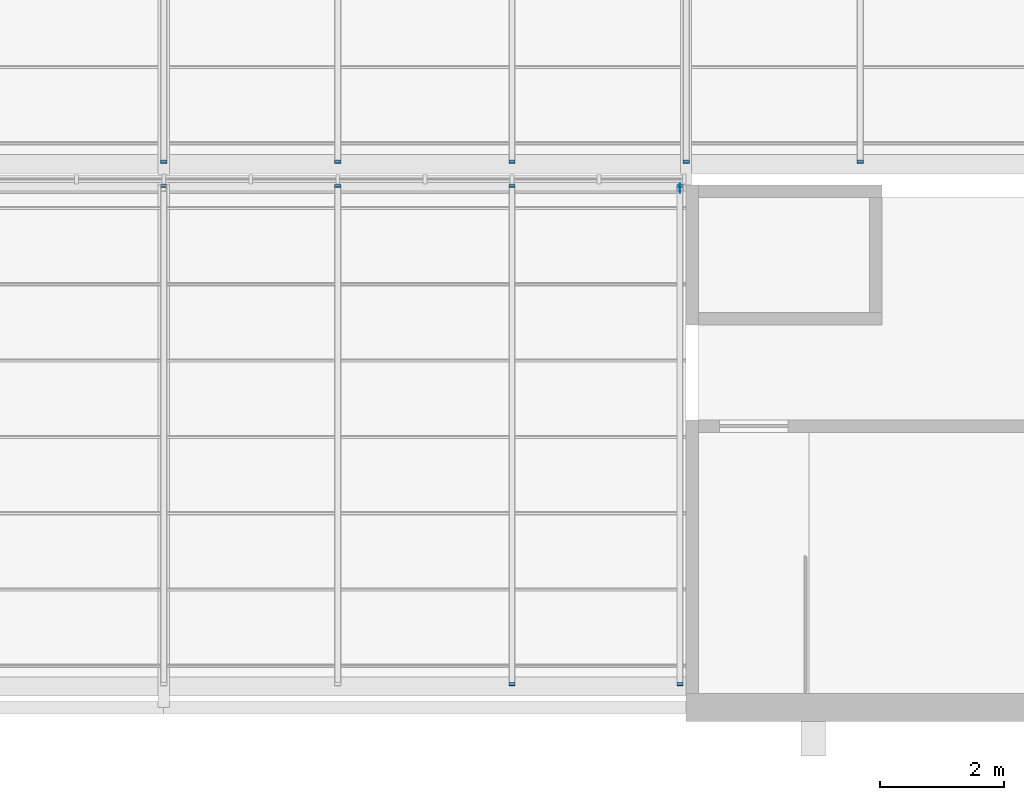
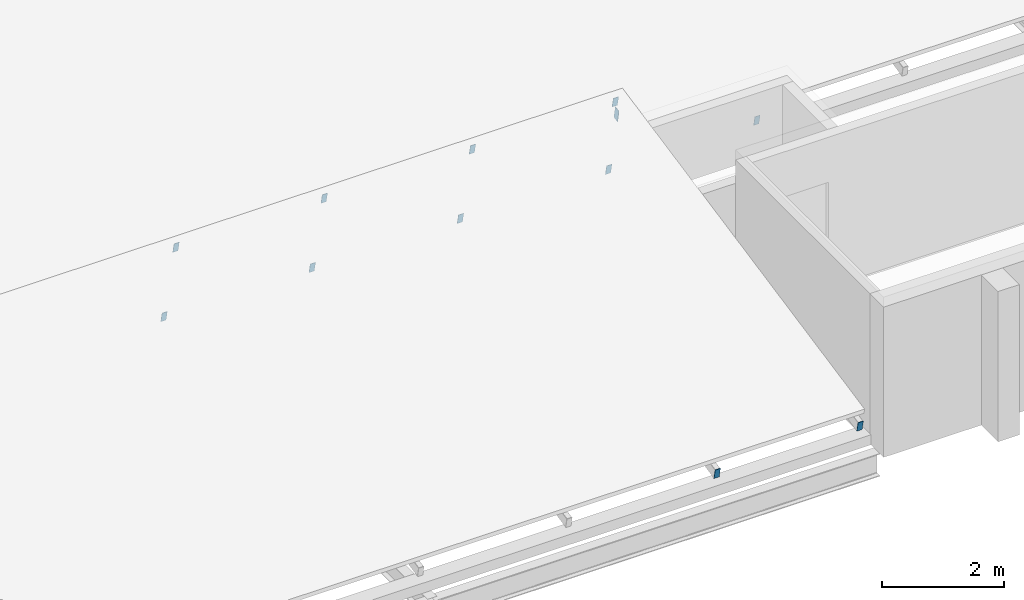
# One storey, part 95 of 121: 12 discrete accessories.
"""IFC4 building model written with IfcOpenShell, lengths in metres."""

from ifc_helpers import new_model, si_unit, direction, frame, origin, origin_2d, place, context, subcontext, project, spatial, rectangle, extrude, material, material_profile, profile_set, type_object, element, save


model = new_model("IFC4")

# Units and contexts
model_context = context("Model", 3, precision=1e-05, world=origin(), true_north=direction((0.0, 1.0)))
body_context = subcontext(model_context, "Body", "Model", "MODEL_VIEW")
ifc_project = project(units=[si_unit("LENGTHUNIT", "METRE"), si_unit("AREAUNIT", "SQUARE_METRE"), si_unit("VOLUMEUNIT", "CUBIC_METRE"), si_unit("PLANEANGLEUNIT", "RADIAN"), si_unit("MASSUNIT", "GRAM", prefix="KILO")], contexts=[model_context])

# Site, building, storey
site_placement = place(None, origin())
site = spatial("IfcSite", under=ifc_project, at=site_placement, CompositionType="ELEMENT")
building_placement = place(site_placement, origin())
building = spatial("IfcBuilding", under=site, at=building_placement, Name="Ardhachandra Cancer Care Centre", CompositionType="ELEMENT")
storey_placement = place(building_placement, frame((0.0, 0.0, 9.0)))
storey = spatial("IfcBuildingStorey", under=building, at=storey_placement, Name="L02", CompositionType="ELEMENT", Elevation=9.0)

# Discrete accessories
ifc_material_1 = material(Name="Galvanised flat steel (Steel E250 (IS 2062))", Category="steel")
ifc_material_profile_1 = material_profile(ifc_material_1, rectangle(XDim=0.10009765625, YDim=0.199951171875, at=origin_2d()), Name="Rafter end plate 200 x 100 x 8")
ifc_profile_set_1 = profile_set([ifc_material_profile_1], Name="Galvanised flat steel (Steel E250 (IS 2062))")
discrete_accessory_type_1 = type_object("IfcDiscreteAccessoryType", Name="Rafter end plate 200 x 100 x 8", PredefinedType="BRACKET", material=ifc_profile_set_1)
for number, where, z_axis, x_axis, name in (
    (1, (27.60009765625, 37.7802734375, 1.91796875), (0.0, 0.976900017396, 0.213696878805), (-1.0, 0.0, 0.0), "Rafter end plate T1a.4.2"),
    (2, (30.39990234375, 37.7802734375, 1.91796875), (0.0, 0.976900017396, 0.213696878805), (-1.0, 0.0, 0.0), "Rafter end plate T1a.5.2"),
):
    element("IfcDiscreteAccessory", number, at=place(storey_placement, frame(where, z_axis=z_axis, x_axis=x_axis)), inside=storey, type_object=discrete_accessory_type_1, Name=name, PredefinedType="BRACKET", context=body_context, shape_type="SweptSolid", body=[
        extrude(rectangle(XDim=0.10009765625, YDim=0.199951171875, at=origin_2d()), origin(), (0.0, 0.0, 1.0), 0.008056640625),
    ])
discrete_accessory_1_placement = place(storey_placement, frame((33.199951171875, 29.7802734375, 0.298095703125), z_axis=(0.0, -0.978234125102, -0.207504208355), x_axis=(1.0, 0.0, 0.0)))
element("IfcDiscreteAccessory", 3, at=discrete_accessory_1_placement, inside=storey, type_object=discrete_accessory_type_1, Name="Rafter end plate T1a.6.1", PredefinedType="BRACKET", context=body_context, shape_type="SweptSolid", body=[
    extrude(rectangle(XDim=0.10009765625, YDim=0.199951171875, at=origin_2d()), origin(), (0.0, 0.0, 1.0), 0.00830078125),
])
discrete_accessory_2_placement = place(storey_placement, frame((33.199951171875, 37.7802734375, 1.91796875), z_axis=(0.0, 0.976900017396, 0.213696878805), x_axis=(-1.0, 0.0, 0.0)))
element("IfcDiscreteAccessory", 4, at=discrete_accessory_2_placement, inside=storey, type_object=discrete_accessory_type_1, Name="Rafter end plate T1a.6.2", PredefinedType="BRACKET", context=body_context, shape_type="SweptSolid", body=[
    extrude(rectangle(XDim=0.10009765625, YDim=0.199951171875, at=origin_2d()), origin(), (0.0, 0.0, 1.0), 0.008056640625),
])
discrete_accessory_3_placement = place(storey_placement, frame((35.89990234375, 29.7802734375, 0.298095703125), z_axis=(0.0, -0.978234125102, -0.207504208355), x_axis=(1.0, 0.0, 0.0)))
element("IfcDiscreteAccessory", 5, at=discrete_accessory_3_placement, inside=storey, type_object=discrete_accessory_type_1, Name="Rafter end plate T1a.7.1", PredefinedType="BRACKET", context=body_context, shape_type="SweptSolid", body=[
    extrude(rectangle(XDim=0.10009765625, YDim=0.199951171875, at=origin_2d()), origin(), (0.0, 0.0, 1.0), 0.00830078125),
])
for number, where, z_axis, x_axis, name in (
    (6, (35.89990234375, 37.7802734375, 1.91796875), (0.0, 0.976900017396, 0.213696878805), (-1.0, 0.0, 0.0), "Rafter end plate T1a.7.2"),
    (7, (27.60009765625, 38.18017578125, 0.298095703125), (0.0, -0.976900017396, -0.213696878805), (1.0, 0.0, 0.0), "Rafter end plate T2a.7.1"),
    (8, (30.39990234375, 38.18017578125, 0.298095703125), (0.0, -0.976900017396, -0.213696878805), (1.0, 0.0, 0.0), "Rafter end plate T2a.8.1"),
    (9, (33.199951171875, 38.18017578125, 0.298095703125), (0.0, -0.976900017396, -0.213696878805), (1.0, 0.0, 0.0), "Rafter end plate T2a.9.1"),
    (10, (36.0, 38.18017578125, 0.298095703125), (0.0, -0.976900017396, -0.213696878805), (1.0, 0.0, 0.0), "Rafter end plate T2a.10.1"),
    (11, (38.800048828125, 38.18017578125, 0.298095703125), (0.0, -0.976900017396, -0.213696878805), (1.0, 0.0, 0.0), "Rafter end plate T2a.11.1"),
):
    element("IfcDiscreteAccessory", number, at=place(storey_placement, frame(where, z_axis=z_axis, x_axis=x_axis)), inside=storey, type_object=discrete_accessory_type_1, Name=name, PredefinedType="BRACKET", context=body_context, shape_type="SweptSolid", body=[
        extrude(rectangle(XDim=0.10009765625, YDim=0.199951171875, at=origin_2d()), origin(), (0.0, 0.0, 1.0), 0.008056640625),
    ])
ifc_material_2 = material(Name="Galvanised flat steel (Steel E250 (IS 2062))", Category="steel")
ifc_material_profile_2 = material_profile(ifc_material_2, rectangle(XDim=0.1201171875, YDim=0.239990234375, at=origin_2d()), Name="Ridge beam end plate 240 x 120 x 8")
ifc_profile_set_2 = profile_set([ifc_material_profile_2], Name="Galvanised flat steel (Steel E250 (IS 2062))")
discrete_accessory_type_2 = type_object("IfcDiscreteAccessoryType", Name="Ridge beam end plate 240 x 120 x 8", PredefinedType="BRACKET", material=ifc_profile_set_2)
discrete_accessory_4_placement = place(storey_placement, frame((35.89990234375, 37.75, 1.6875), z_axis=(1.0, 0.0, 0.0), x_axis=(0.0, 0.980106641092, 0.198471590126)))
element("IfcDiscreteAccessory", 12, at=discrete_accessory_4_placement, inside=storey, type_object=discrete_accessory_type_2, Name="Ridge beam end plate T1a.2", PredefinedType="BRACKET", context=body_context, shape_type="SweptSolid", body=[
    extrude(rectangle(XDim=0.1201171875, YDim=0.239990234375, at=origin_2d()), origin(), (0.0, 0.0, 1.0), 0.008056640625),
])

save(model, "model.ifc")
